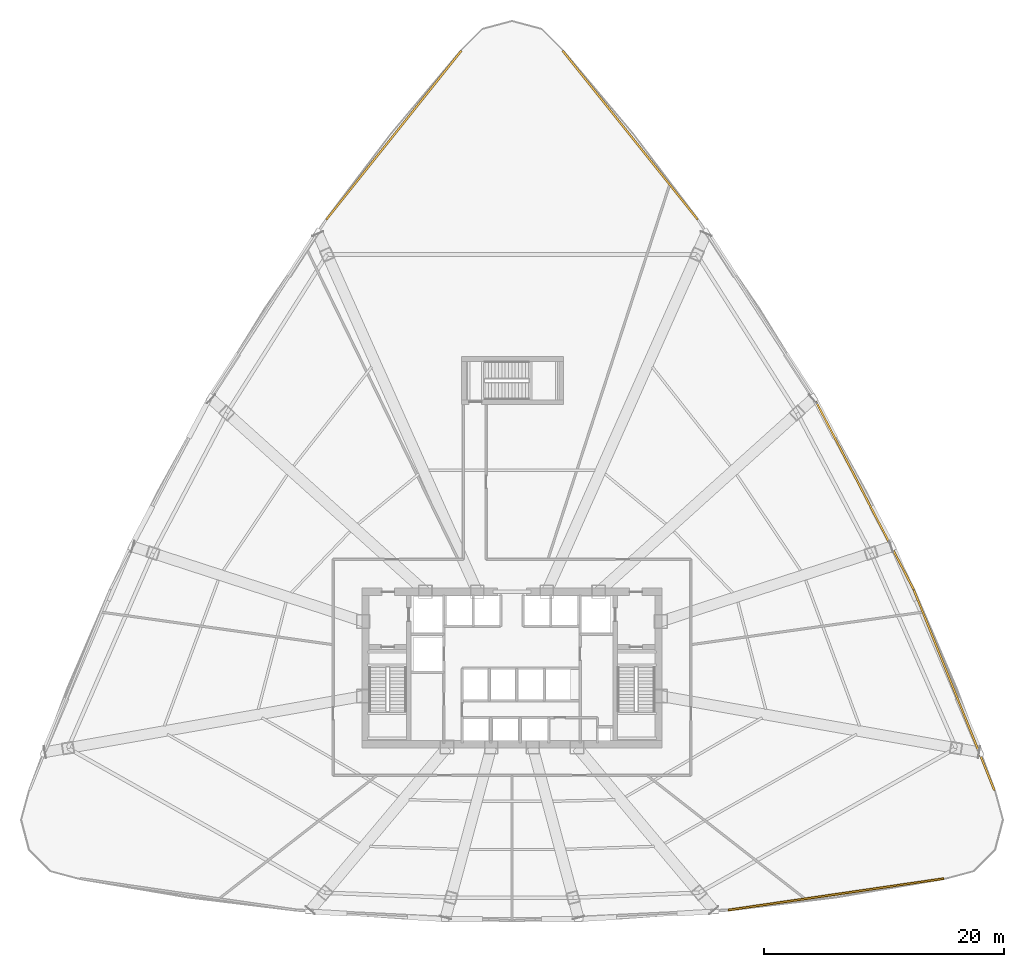
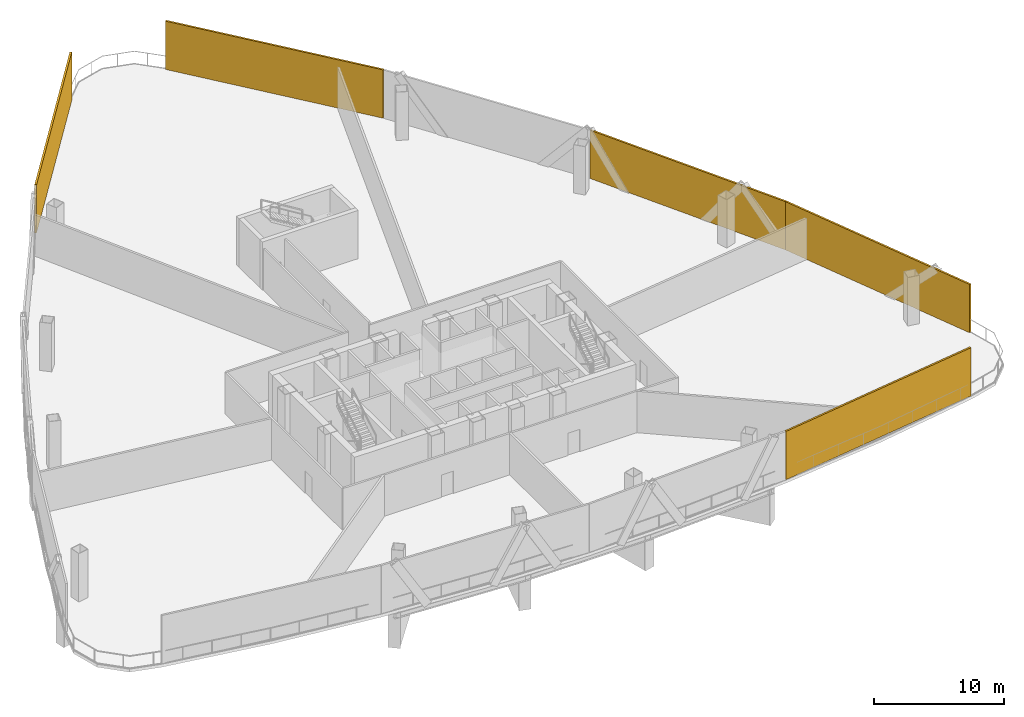
# One storey, part 15 of 15: 5 shading devices.
"""IFC4 building model written with IfcOpenShell, lengths in metres."""

from ifc_helpers import new_model, si_unit, direction, frame, origin, origin_2d, place, context, subcontext, project, spatial, rectangle, extrude, source, transform, mapped, material, layer, layer_set, type_object, element, save


model = new_model("IFC4")

# Units and contexts
model_context = context("Model", 3, precision=1e-05, world=origin(), true_north=direction((0.0, 1.0)))
body_context = subcontext(model_context, "Body", "Model", "MODEL_VIEW")
ifc_project = project(units=[si_unit("LENGTHUNIT", "METRE"), si_unit("AREAUNIT", "SQUARE_METRE"), si_unit("VOLUMEUNIT", "CUBIC_METRE"), si_unit("PLANEANGLEUNIT", "RADIAN"), si_unit("MASSUNIT", "GRAM", prefix="KILO"), si_unit("THERMODYNAMICTEMPERATUREUNIT", "KELVIN"), si_unit("POWERUNIT", "WATT")], contexts=[model_context])

# Site, building, storey
site_placement = place(None, origin())
site = spatial("IfcSite", under=ifc_project, at=site_placement, CompositionType="ELEMENT")
building_placement = place(site_placement, origin())
building = spatial("IfcBuilding", under=site, at=building_placement, Name="Yunzhuo Pagoda Commons", CompositionType="ELEMENT")
storey_placement = place(building_placement, frame((0.0, 0.0, 125.030029296875)))
storey = spatial("IfcBuildingStorey", under=building, at=storey_placement, Name="L31", CompositionType="ELEMENT", Elevation=125.030029296875)

# Shading devices
ifc_material = material(Name="Anodized aluminium 6063-T6", Category="aluminium")
ifc_layer = layer(ifc_material, 0.159912109375)
ifc_layer_set = layer_set([ifc_layer], Name="Anodized aluminium 6063-T6")
shading_device_type = type_object("IfcShadingDeviceType", Name="SH-SCR1 Stormproof Refuge Louvre Screen", PredefinedType="JALOUSIE", material=ifc_layer_set)
shared_shape_1 = source(origin(), body_context, "Body", "SweptSolid", [
    extrude(rectangle(XDim=18.156982421875, YDim=0.159912109375, at=origin_2d()), origin(), (0.0, 0.0, 1.0), 4.5400390625),
])
shading_device_1_placement = place(storey_placement, frame((74.99169921875, 14.993896484375, 0.0), z_axis=(0.0, 0.0, 1.0), x_axis=(0.989510666697, 0.144459823108, 0.0)))
element("IfcShadingDevice", 1, at=shading_device_1_placement, inside=storey, type_object=shading_device_type, Name="L31 stormproof refuge louvre screen F1.4", PredefinedType="JALOUSIE", context=body_context, shape_type="MappedRepresentation", body=[
    mapped(shared_shape_1, transform((0.0, 0.0, 0.0), scale=1.0)),
])
shared_shape_2 = source(origin(), body_context, "Body", "SweptSolid", [
    extrude(rectangle(XDim=18.010986328125, YDim=0.159912109375, at=origin_2d()), origin(), (0.0, 0.0, 1.0), 4.5400390625),
])
for number, where, z_axis, x_axis, name in (
    (2, (84.835693359375, 32.010498046875, 0.0), (0.0, 0.0, 1.0), (-0.372987782576, 0.927836253899, 0.0), "L31 stormproof refuge louvre screen F2.1"),
    (3, (57.84423828125, 78.24951171875, 0.0), (0.0, 0.0, 1.0), (-0.624520471688, 0.781008438138, 0.0), "L31 stormproof refuge louvre screen F2.4"),
    (4, (38.15576171875, 78.24951171875, 0.0), (0.0, 0.0, 1.0), (-0.624520471688, -0.781008438138, 0.0), "L31 stormproof refuge louvre screen F3.1"),
):
    element("IfcShadingDevice", number, at=place(storey_placement, frame(where, z_axis=z_axis, x_axis=x_axis)), inside=storey, type_object=shading_device_type, Name=name, PredefinedType="JALOUSIE", context=body_context, shape_type="MappedRepresentation", body=[
        mapped(shared_shape_2, transform((0.0, 0.0, 0.0), scale=1.0)),
    ])
shared_shape_3 = source(origin(), body_context, "Body", "SweptSolid", [
    extrude(rectangle(XDim=17.840087890625, YDim=0.159912109375, at=origin_2d()), origin(), (0.0, 0.0, 1.0), 4.5400390625),
])
shading_device_2_placement = place(storey_placement, frame((77.350830078125, 48.306396484375, 0.0), z_axis=(0.0, 0.0, 1.0), x_axis=(-0.461206683033, 0.88729273384, 0.0)))
element("IfcShadingDevice", 5, at=shading_device_2_placement, inside=storey, type_object=shading_device_type, Name="L31 stormproof refuge louvre screen F2.2", PredefinedType="JALOUSIE", context=body_context, shape_type="MappedRepresentation", body=[
    mapped(shared_shape_3, transform((0.0, 0.0, 0.0), scale=1.0)),
])

save(model, "model.ifc")
